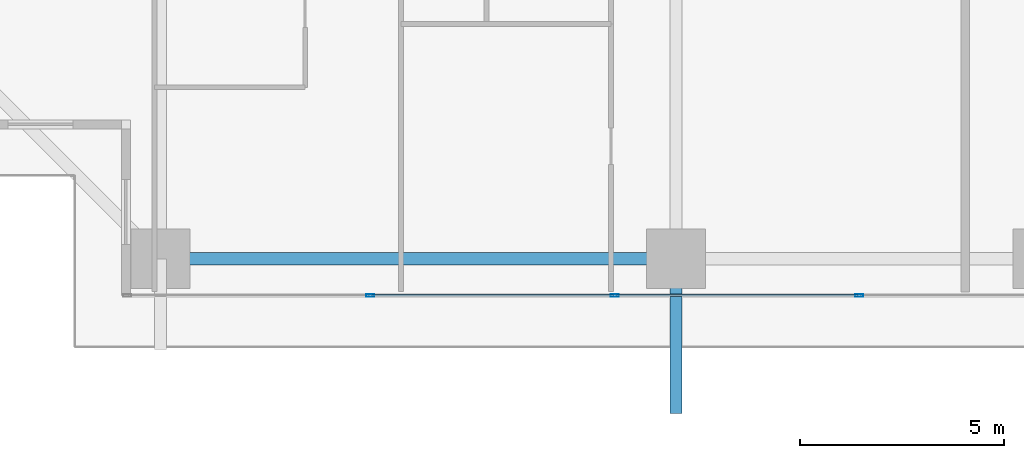
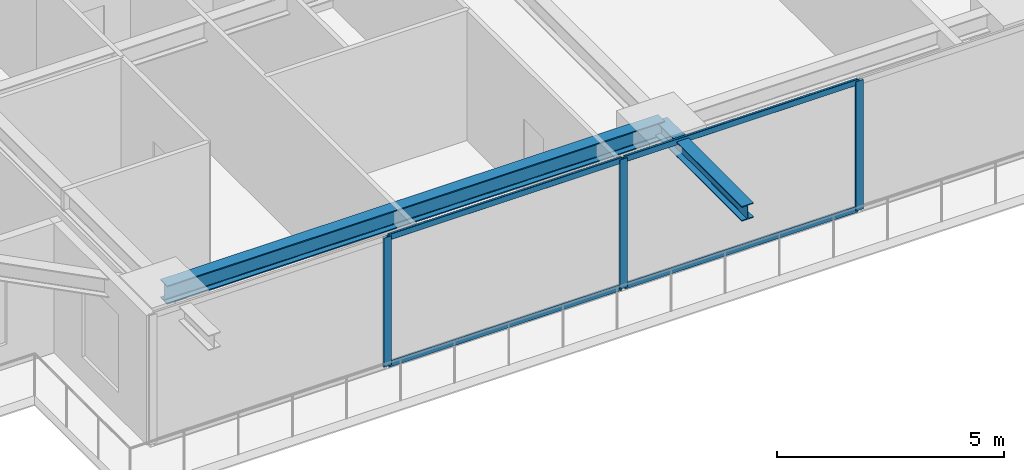
# One storey, part 4 of 34: 7 members, 2 beams, 1 element without a shape of its own.
"""IFC4 building model written with IfcOpenShell, lengths in metres."""

from ifc_helpers import new_model, si_unit, direction, frame, origin, origin_2d, place, context, subcontext, project, spatial, hollow_rectangle, i_section, extrude, source, transform, mapped, material, layer, layer_set, material_profile, profile_set, type_object, element, aggregate, save


model = new_model("IFC4")

# Units and contexts
model_context = context("Model", 3, precision=1e-05, world=origin(), true_north=direction((0.0, 1.0)))
body_context = subcontext(model_context, "Body", "Model", "MODEL_VIEW")
ifc_project = project(units=[si_unit("LENGTHUNIT", "METRE"), si_unit("AREAUNIT", "SQUARE_METRE"), si_unit("VOLUMEUNIT", "CUBIC_METRE"), si_unit("PLANEANGLEUNIT", "RADIAN"), si_unit("MASSUNIT", "GRAM", prefix="KILO")], contexts=[model_context])

# Site, building, storey
site_placement = place(None, origin())
site = spatial("IfcSite", under=ifc_project, at=site_placement, CompositionType="ELEMENT")
building_placement = place(site_placement, origin())
building = spatial("IfcBuilding", under=site, at=building_placement, Name="Serunith Strait Residences", CompositionType="ELEMENT")
storey_placement = place(building_placement, frame((0.0, 0.0, 101.699951171875)))
storey = spatial("IfcBuildingStorey", under=building, at=storey_placement, Name="L25", CompositionType="ELEMENT", Elevation=101.699951171875)

# Beams
ifc_material_1 = material(Name="Steel S355J2", Category="steel")
ifc_material_profile_1 = material_profile(ifc_material_1, i_section(OverallWidth=0.300048828125, OverallDepth=0.5, WebThickness=0.014404296875, FlangeThickness=0.028076171875, FilletRadius=0.027099609375, at=origin_2d()), Name="HEB 500")
ifc_profile_set_1 = profile_set([ifc_material_profile_1], Name="Steel S355J2")
beam_type_1 = type_object("IfcBeamType", Name="BM-HEB500", PredefinedType="BEAM", material=ifc_profile_set_1)
shared_shape_1 = source(origin(), body_context, "Body", "SweptSolid", [
    extrude(i_section(OverallWidth=0.300048828125, OverallDepth=0.5, WebThickness=0.014404296875, FlangeThickness=0.028076171875, FilletRadius=0.027099609375, at=origin_2d()), origin(), (0.0, 0.0, 1.0), 12.64990234375),
])
beam_1_placement = place(storey_placement, frame((15.25, 1.10009765625, 3.237060546875), z_axis=(1.0, 0.0, 0.0), x_axis=(0.0, 1.0, 0.0)))
element("IfcBeam", 1, at=beam_1_placement, inside=storey, type_object=beam_type_1, Name="L25 Perimeter Ring Beam 01", PredefinedType="BEAM", context=body_context, shape_type="MappedRepresentation", body=[
    mapped(shared_shape_1, transform((0.0, 0.0, 0.0), scale=1.0)),
])
ifc_material_profile_2 = material_profile(ifc_material_1, i_section(OverallWidth=0.300048828125, OverallDepth=0.39990234375, WebThickness=0.013427734375, FlangeThickness=0.02392578125, FilletRadius=0.027099609375, at=origin_2d()), Name="HEB 400")
ifc_profile_set_2 = profile_set([ifc_material_profile_2], Name="Steel S355J2")
beam_type_2 = type_object("IfcBeamType", Name="BM-HEB400", PredefinedType="BEAM", material=ifc_profile_set_2)
shared_shape_2 = source(origin(), body_context, "Body", "SweptSolid", [
    extrude(i_section(OverallWidth=0.300048828125, OverallDepth=0.39990234375, WebThickness=0.013427734375, FlangeThickness=0.02392578125, FilletRadius=0.027099609375, at=origin_2d()), origin(), (0.0, 0.0, 1.0), 3.800048828125),
])
beam_2_placement = place(storey_placement, frame((27.89990234375, 1.10009765625, 3.257080078125), z_axis=(0.0, -1.0, 0.0), x_axis=(1.0, 0.0, 0.0)))
element("IfcBeam", 2, at=beam_2_placement, inside=storey, type_object=beam_type_2, Name="L26 Cantilevered Balcony Rib TC-S2", PredefinedType="BEAM", context=body_context, shape_type="MappedRepresentation", body=[
    mapped(shared_shape_2, transform((0.0, 0.0, 0.0), scale=1.0)),
])

# Curtain wall, members
ifc_material_2 = material(Name="Pale-Champagne Anodised Aluminium", Category="aluminium")
ifc_layer = layer(ifc_material_2, 0.199951171875, Name="Pale-Champagne Anodised Aluminium")
ifc_layer_set = layer_set([ifc_layer], Name="Pale-Champagne Anodised Aluminium")
curtain_wall_type = type_object("IfcCurtainWallType", Name="CW-SYS1", PredefinedType="NOTDEFINED", material=ifc_layer_set)
curtain_wall_placement = place(storey_placement, origin())
curtain_wall = element("IfcCurtainWall", 3, at=curtain_wall_placement, inside=storey, type_object=curtain_wall_type, Name="L25 S Unitised Fritted Curtain Wall", PredefinedType="NOTDEFINED")
ifc_material_profile_3 = material_profile(ifc_material_2, hollow_rectangle(XDim=0.070068359375, YDim=0.199951171875, WallThickness=0.00390625, InnerFilletRadius=0.006103515625, OuterFilletRadius=0.010009765625, at=origin_2d()), Name="ALU 200x70x4")
ifc_profile_set_3 = profile_set([ifc_material_profile_3], Name="Pale-Champagne Anodised Aluminium")
member_type_1 = type_object("IfcMemberType", Name="CW-SYS1-MULL", PredefinedType="MULLION", material=ifc_profile_set_3)
shared_shape_3 = source(origin(), body_context, "Body", "SweptSolid", [
    extrude(hollow_rectangle(XDim=0.070068359375, YDim=0.199951171875, WallThickness=0.00390625, InnerFilletRadius=0.006103515625, OuterFilletRadius=0.010009765625, at=origin_2d()), origin(), (0.0, 0.0, 1.0), 3.47509765625),
])
member_1_placement = place(storey_placement, frame((20.39990234375, 0.199951171875, 0.0), z_axis=(0.0, 0.0, 1.0), x_axis=(0.0, 1.0, 0.0)))
member_1 = element("IfcMember", 4, at=member_1_placement, type_object=member_type_1, Name="CW-1 mullion 2", PredefinedType="MULLION", context=body_context, shape_type="MappedRepresentation", body=[
    mapped(shared_shape_3, transform((0.0, 0.0, 0.0), scale=1.0)),
])
member_2_placement = place(storey_placement, frame((26.39990234375, 0.199951171875, 0.0), z_axis=(0.0, 0.0, 1.0), x_axis=(0.0, 1.0, 0.0)))
member_2 = element("IfcMember", 5, at=member_2_placement, type_object=member_type_1, Name="CW-1 mullion 3", PredefinedType="MULLION", context=body_context, shape_type="MappedRepresentation", body=[
    mapped(shared_shape_3, transform((0.0, 0.0, 0.0), scale=1.0)),
])
member_3_placement = place(storey_placement, frame((32.39990234375, 0.199951171875, 0.0), z_axis=(0.0, 0.0, 1.0), x_axis=(0.0, 1.0, 0.0)))
member_3 = element("IfcMember", 6, at=member_3_placement, type_object=member_type_1, Name="CW-1 mullion 4", PredefinedType="MULLION", context=body_context, shape_type="MappedRepresentation", body=[
    mapped(shared_shape_3, transform((0.0, 0.0, 0.0), scale=1.0)),
])
ifc_material_profile_4 = material_profile(ifc_material_2, hollow_rectangle(XDim=0.06005859375, YDim=0.159912109375, WallThickness=0.00341796875, InnerFilletRadius=0.00537109375, OuterFilletRadius=0.0087890625, at=origin_2d()), Name="ALU 160x60x3.5")
ifc_profile_set_4 = profile_set([ifc_material_profile_4], Name="Pale-Champagne Anodised Aluminium")
member_type_2 = type_object("IfcMemberType", Name="CW-SYS1-TRAN", PredefinedType="USERDEFINED", material=ifc_profile_set_4)
shared_shape_4 = source(origin(), body_context, "Body", "SweptSolid", [
    extrude(hollow_rectangle(XDim=0.06005859375, YDim=0.159912109375, WallThickness=0.00341796875, InnerFilletRadius=0.00537109375, OuterFilletRadius=0.0087890625, at=origin_2d()), origin(), (0.0, 0.0, 1.0), 5.929931640625),
])
member_4_placement = place(storey_placement, frame((20.43505859375, 0.199951171875, 0.030029296875), z_axis=(1.0, 0.0, 0.0), x_axis=(0.0, 1.0, 0.0)))
member_4 = element("IfcMember", 7, at=member_4_placement, type_object=member_type_2, Name="CW-1 transom 2.1", ObjectType="TRANSOM", PredefinedType="USERDEFINED", context=body_context, shape_type="MappedRepresentation", body=[
    mapped(shared_shape_4, transform((0.0, 0.0, 0.0), scale=1.0)),
])
member_5_placement = place(storey_placement, frame((20.43505859375, 0.199951171875, 3.445068359375), z_axis=(1.0, 0.0, 0.0), x_axis=(0.0, 1.0, 0.0)))
member_5 = element("IfcMember", 8, at=member_5_placement, type_object=member_type_2, Name="CW-1 transom 2.2", ObjectType="TRANSOM", PredefinedType="USERDEFINED", context=body_context, shape_type="MappedRepresentation", body=[
    mapped(shared_shape_4, transform((0.0, 0.0, 0.0), scale=1.0)),
])
member_6_placement = place(storey_placement, frame((26.43505859375, 0.199951171875, 0.030029296875), z_axis=(1.0, 0.0, 0.0), x_axis=(0.0, 1.0, 0.0)))
member_6 = element("IfcMember", 9, at=member_6_placement, type_object=member_type_2, Name="CW-1 transom 3.1", ObjectType="TRANSOM", PredefinedType="USERDEFINED", context=body_context, shape_type="MappedRepresentation", body=[
    mapped(shared_shape_4, transform((0.0, 0.0, 0.0), scale=1.0)),
])
member_7_placement = place(storey_placement, frame((26.43505859375, 0.199951171875, 3.445068359375), z_axis=(1.0, 0.0, 0.0), x_axis=(0.0, 1.0, 0.0)))
member_7 = element("IfcMember", 10, at=member_7_placement, type_object=member_type_2, Name="CW-1 transom 3.2", ObjectType="TRANSOM", PredefinedType="USERDEFINED", context=body_context, shape_type="MappedRepresentation", body=[
    mapped(shared_shape_4, transform((0.0, 0.0, 0.0), scale=1.0)),
])
aggregate(curtain_wall, [member_1, member_2, member_3, member_4, member_5, member_6, member_7])

save(model, "model.ifc")
